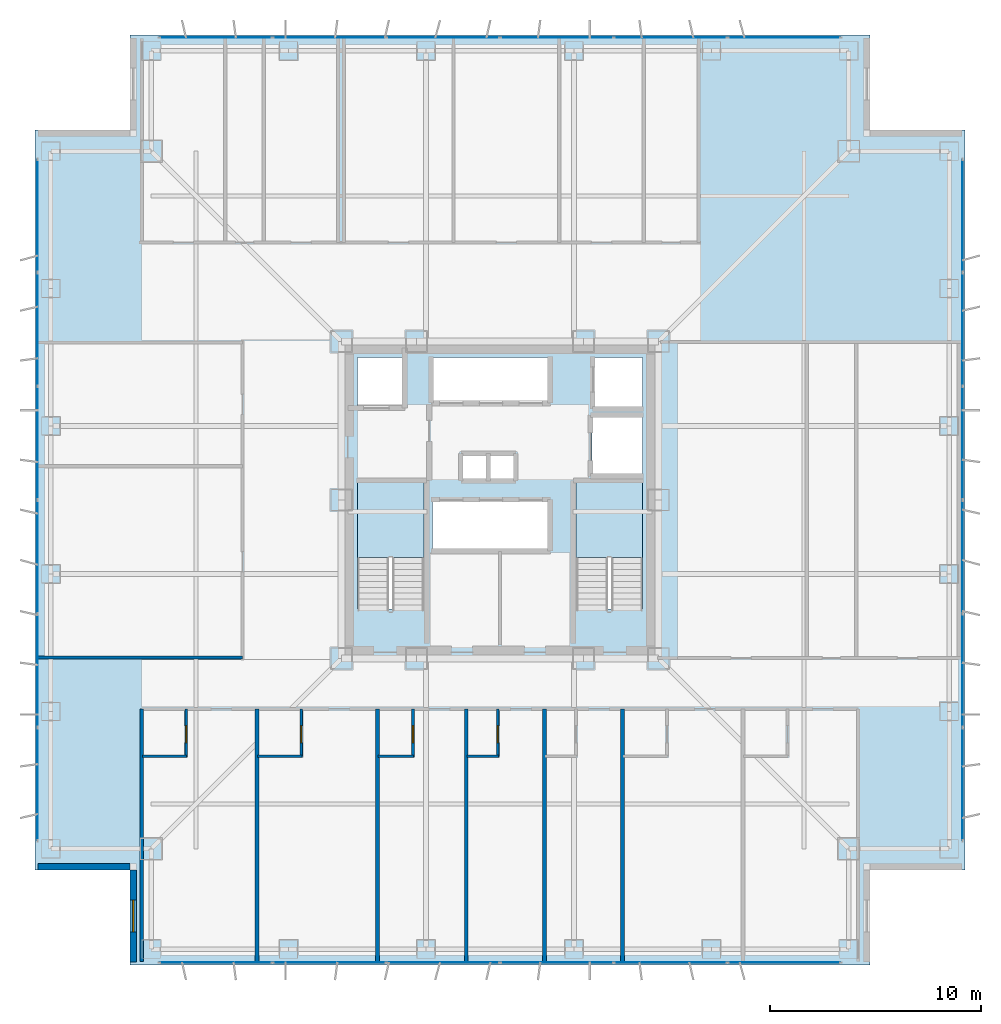
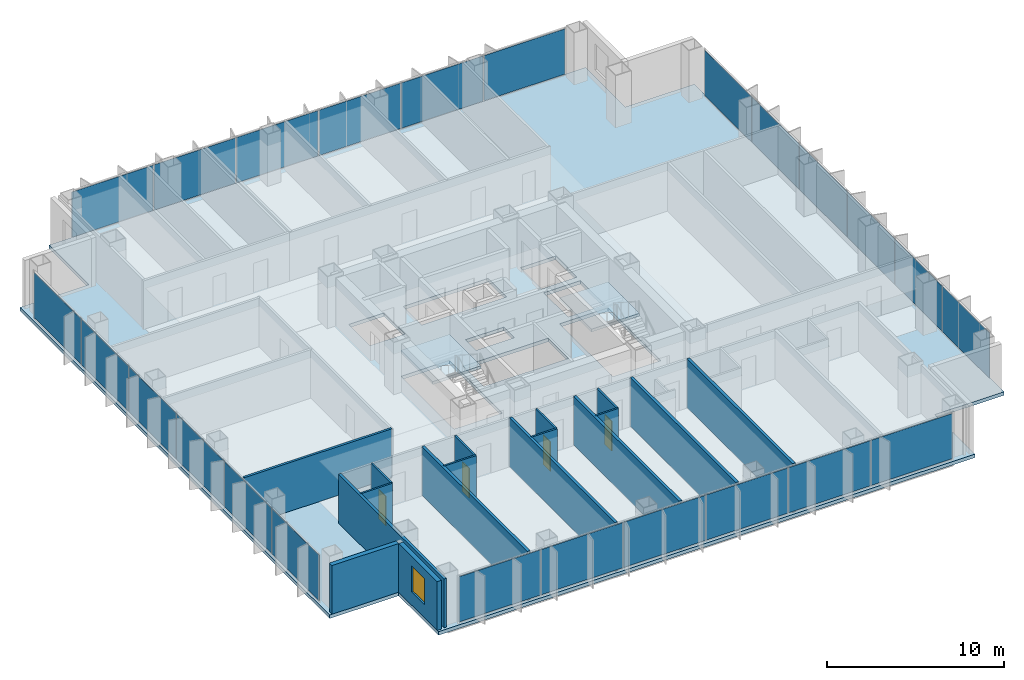
# One storey, part 12 of 18: 24 plates, 17 walls, 4 doors, 3 slabs, 1 window, 5 openings, 6 elements without a shape of their own.
"""IFC4 building model written with IfcOpenShell, lengths in metres."""

from ifc_helpers import new_model, si_unit, direction, frame, frame_2d, origin, origin_2d, place, context, subcontext, project, spatial, polyline, rectangle, outline, extrude, material, layer, layer_set, type_object, element, fill, aggregate, save


model = new_model("IFC4")

# Units and contexts
model_context = context("Model", 3, precision=1e-05, world=origin(), true_north=direction((0.0, 1.0)))
body_context = subcontext(model_context, "Body", "Model", "MODEL_VIEW")
ifc_project = project(units=[si_unit("LENGTHUNIT", "METRE"), si_unit("AREAUNIT", "SQUARE_METRE"), si_unit("VOLUMEUNIT", "CUBIC_METRE"), si_unit("PLANEANGLEUNIT", "RADIAN"), si_unit("MASSUNIT", "GRAM", prefix="KILO")], contexts=[model_context])

# Site, building, storey
site_placement = place(None, origin())
site = spatial("IfcSite", under=ifc_project, at=site_placement, CompositionType="ELEMENT")
building_placement = place(site_placement, origin())
building = spatial("IfcBuilding", under=site, at=building_placement, Name="Trevonay Congress Spire", CompositionType="ELEMENT")
storey_placement = place(building_placement, frame((0.0, 0.0, 148.0)))
storey = spatial("IfcBuildingStorey", under=building, at=storey_placement, Name="L38", CompositionType="ELEMENT", Elevation=148.0)

# Curtain wall, plates
ifc_material_1 = material(Name="Pale Anodised Aluminium EN AW-6063-T6", Category="aluminium")
ifc_layer_1 = layer(ifc_material_1, 0.175048828125, Name="Pale Anodised Aluminium EN AW-6063-T6")
ifc_layer_set_1 = layer_set([ifc_layer_1], Name="Pale Anodised Aluminium EN AW-6063-T6")
curtain_wall_type = type_object("IfcCurtainWallType", Name="CW-SYS03-CONGRESS-PALE-METAL", PredefinedType="NOTDEFINED", material=ifc_layer_set_1)
curtain_wall_1_placement = place(storey_placement, origin())
curtain_wall_1 = element("IfcCurtainWall", 1, at=curtain_wall_1_placement, inside=storey, type_object=curtain_wall_type, Name="L38 S unitised curtain wall", PredefinedType="NOTDEFINED")
ifc_material_2 = material(Name="Insulated Low-E Vision Glass IGU", Category="glass")
ifc_layer_2 = layer(ifc_material_2, 0.035888671875, Name="Insulated Low-E Vision Glass IGU")
ifc_layer_set_2 = layer_set([ifc_layer_2], Name="Insulated Low-E Vision Glass IGU")
plate_type = type_object("IfcPlateType", Name="CW-PANEL-IGU36-SILVER", PredefinedType="CURTAIN_PANEL", material=ifc_layer_set_2)
plate_1_placement = place(storey_placement, frame((-13.443359375, -21.8798828125, 0.119873046875), z_axis=(0.0, 0.0, 1.0), x_axis=(1.0, 0.0, 0.0)))
plate_1 = element("IfcPlate", 2, at=plate_1_placement, type_object=plate_type, Name="CW03 panel 1.1", PredefinedType="CURTAIN_PANEL", context=body_context, shape_type="SweptSolid", body=[
    extrude(rectangle(XDim=5.293212890625, YDim=0.035888671875, at=origin_2d()), origin(), (0.0, 0.0, 1.0), 3.1201171875),
])
plate_2_placement = place(storey_placement, frame((-8.074951171875, -21.8798828125, 0.119873046875), z_axis=(0.0, 0.0, 1.0), x_axis=(1.0, 0.0, 0.0)))
plate_2 = element("IfcPlate", 3, at=plate_2_placement, type_object=plate_type, Name="CW03 panel 2.1", PredefinedType="CURTAIN_PANEL", context=body_context, shape_type="SweptSolid", body=[
    extrude(rectangle(XDim=5.3232421875, YDim=0.035888671875, at=origin_2d()), origin(), (0.0, 0.0, 1.0), 3.1201171875),
])
plate_3_placement = place(storey_placement, frame((-2.691650390625, -21.8798828125, 0.119873046875), z_axis=(0.0, 0.0, 1.0), x_axis=(1.0, 0.0, 0.0)))
plate_3 = element("IfcPlate", 4, at=plate_3_placement, type_object=plate_type, Name="CW03 panel 3.1", PredefinedType="CURTAIN_PANEL", context=body_context, shape_type="SweptSolid", body=[
    extrude(rectangle(XDim=5.3232421875, YDim=0.035888671875, at=origin_2d()), origin(), (0.0, 0.0, 1.0), 3.1201171875),
])
plate_4_placement = place(storey_placement, frame((2.691650390625, -21.8798828125, 0.119873046875), z_axis=(0.0, 0.0, 1.0), x_axis=(1.0, 0.0, 0.0)))
plate_4 = element("IfcPlate", 5, at=plate_4_placement, type_object=plate_type, Name="CW03 panel 4.1", PredefinedType="CURTAIN_PANEL", context=body_context, shape_type="SweptSolid", body=[
    extrude(rectangle(XDim=5.3232421875, YDim=0.035888671875, at=origin_2d()), origin(), (0.0, 0.0, 1.0), 3.1201171875),
])
plate_5_placement = place(storey_placement, frame((8.074951171875, -21.8798828125, 0.119873046875), z_axis=(0.0, 0.0, 1.0), x_axis=(1.0, 0.0, 0.0)))
plate_5 = element("IfcPlate", 6, at=plate_5_placement, type_object=plate_type, Name="CW03 panel 5.1", PredefinedType="CURTAIN_PANEL", context=body_context, shape_type="SweptSolid", body=[
    extrude(rectangle(XDim=5.3232421875, YDim=0.035888671875, at=origin_2d()), origin(), (0.0, 0.0, 1.0), 3.1201171875),
])
plate_6_placement = place(storey_placement, frame((13.443359375, -21.8798828125, 0.119873046875), z_axis=(0.0, 0.0, 1.0), x_axis=(1.0, 0.0, 0.0)))
plate_6 = element("IfcPlate", 7, at=plate_6_placement, type_object=plate_type, Name="CW03 panel 6.1", PredefinedType="CURTAIN_PANEL", context=body_context, shape_type="SweptSolid", body=[
    extrude(rectangle(XDim=5.293212890625, YDim=0.035888671875, at=origin_2d()), origin(), (0.0, 0.0, 1.0), 3.1201171875),
])
aggregate(curtain_wall_1, [plate_1, plate_2, plate_3, plate_4, plate_5, plate_6])

curtain_wall_2_placement = place(storey_placement, origin())
curtain_wall_2 = element("IfcCurtainWall", 8, at=curtain_wall_2_placement, inside=storey, type_object=curtain_wall_type, Name="L38 N unitised curtain wall", PredefinedType="NOTDEFINED")
plate_7_placement = place(storey_placement, frame((-13.443359375, 21.8798828125, 0.119873046875), z_axis=(0.0, 0.0, 1.0), x_axis=(1.0, 0.0, 0.0)))
plate_7 = element("IfcPlate", 9, at=plate_7_placement, type_object=plate_type, Name="CW03 panel 1.1", PredefinedType="CURTAIN_PANEL", context=body_context, shape_type="SweptSolid", body=[
    extrude(rectangle(XDim=5.293212890625, YDim=0.035888671875, at=origin_2d()), origin(), (0.0, 0.0, 1.0), 3.1201171875),
])
plate_8_placement = place(storey_placement, frame((-8.074951171875, 21.8798828125, 0.119873046875), z_axis=(0.0, 0.0, 1.0), x_axis=(1.0, 0.0, 0.0)))
plate_8 = element("IfcPlate", 10, at=plate_8_placement, type_object=plate_type, Name="CW03 panel 2.1", PredefinedType="CURTAIN_PANEL", context=body_context, shape_type="SweptSolid", body=[
    extrude(rectangle(XDim=5.3232421875, YDim=0.035888671875, at=origin_2d()), origin(), (0.0, 0.0, 1.0), 3.1201171875),
])
plate_9_placement = place(storey_placement, frame((-2.691650390625, 21.8798828125, 0.119873046875), z_axis=(0.0, 0.0, 1.0), x_axis=(1.0, 0.0, 0.0)))
plate_9 = element("IfcPlate", 11, at=plate_9_placement, type_object=plate_type, Name="CW03 panel 3.1", PredefinedType="CURTAIN_PANEL", context=body_context, shape_type="SweptSolid", body=[
    extrude(rectangle(XDim=5.3232421875, YDim=0.035888671875, at=origin_2d()), origin(), (0.0, 0.0, 1.0), 3.1201171875),
])
plate_10_placement = place(storey_placement, frame((2.691650390625, 21.8798828125, 0.119873046875), z_axis=(0.0, 0.0, 1.0), x_axis=(1.0, 0.0, 0.0)))
plate_10 = element("IfcPlate", 12, at=plate_10_placement, type_object=plate_type, Name="CW03 panel 4.1", PredefinedType="CURTAIN_PANEL", context=body_context, shape_type="SweptSolid", body=[
    extrude(rectangle(XDim=5.3232421875, YDim=0.035888671875, at=origin_2d()), origin(), (0.0, 0.0, 1.0), 3.1201171875),
])
plate_11_placement = place(storey_placement, frame((8.074951171875, 21.8798828125, 0.119873046875), z_axis=(0.0, 0.0, 1.0), x_axis=(1.0, 0.0, 0.0)))
plate_11 = element("IfcPlate", 13, at=plate_11_placement, type_object=plate_type, Name="CW03 panel 5.1", PredefinedType="CURTAIN_PANEL", context=body_context, shape_type="SweptSolid", body=[
    extrude(rectangle(XDim=5.3232421875, YDim=0.035888671875, at=origin_2d()), origin(), (0.0, 0.0, 1.0), 3.1201171875),
])
plate_12_placement = place(storey_placement, frame((13.443359375, 21.8798828125, 0.119873046875), z_axis=(0.0, 0.0, 1.0), x_axis=(1.0, 0.0, 0.0)))
plate_12 = element("IfcPlate", 14, at=plate_12_placement, type_object=plate_type, Name="CW03 panel 6.1", PredefinedType="CURTAIN_PANEL", context=body_context, shape_type="SweptSolid", body=[
    extrude(rectangle(XDim=5.293212890625, YDim=0.035888671875, at=origin_2d()), origin(), (0.0, 0.0, 1.0), 3.1201171875),
])
aggregate(curtain_wall_2, [plate_7, plate_8, plate_9, plate_10, plate_11, plate_12])

curtain_wall_3_placement = place(storey_placement, origin())
curtain_wall_3 = element("IfcCurtainWall", 15, at=curtain_wall_3_placement, inside=storey, type_object=curtain_wall_type, Name="L38 W unitised curtain wall", PredefinedType="NOTDEFINED")
plate_13_placement = place(storey_placement, frame((-21.8798828125, -13.443359375, 0.119873046875), z_axis=(0.0, 0.0, 1.0), x_axis=(0.0, 1.0, 0.0)))
plate_13 = element("IfcPlate", 16, at=plate_13_placement, type_object=plate_type, Name="CW03 panel 1.1", PredefinedType="CURTAIN_PANEL", context=body_context, shape_type="SweptSolid", body=[
    extrude(rectangle(XDim=5.293212890625, YDim=0.035888671875, at=origin_2d()), origin(), (0.0, 0.0, 1.0), 3.1201171875),
])
plate_14_placement = place(storey_placement, frame((-21.8798828125, -8.074951171875, 0.119873046875), z_axis=(0.0, 0.0, 1.0), x_axis=(0.0, 1.0, 0.0)))
plate_14 = element("IfcPlate", 17, at=plate_14_placement, type_object=plate_type, Name="CW03 panel 2.1", PredefinedType="CURTAIN_PANEL", context=body_context, shape_type="SweptSolid", body=[
    extrude(rectangle(XDim=5.3232421875, YDim=0.035888671875, at=origin_2d()), origin(), (0.0, 0.0, 1.0), 3.1201171875),
])
plate_15_placement = place(storey_placement, frame((-21.8798828125, -2.691650390625, 0.119873046875), z_axis=(0.0, 0.0, 1.0), x_axis=(0.0, 1.0, 0.0)))
plate_15 = element("IfcPlate", 18, at=plate_15_placement, type_object=plate_type, Name="CW03 panel 3.1", PredefinedType="CURTAIN_PANEL", context=body_context, shape_type="SweptSolid", body=[
    extrude(rectangle(XDim=5.3232421875, YDim=0.035888671875, at=origin_2d()), origin(), (0.0, 0.0, 1.0), 3.1201171875),
])
plate_16_placement = place(storey_placement, frame((-21.8798828125, 2.691650390625, 0.119873046875), z_axis=(0.0, 0.0, 1.0), x_axis=(0.0, 1.0, 0.0)))
plate_16 = element("IfcPlate", 19, at=plate_16_placement, type_object=plate_type, Name="CW03 panel 4.1", PredefinedType="CURTAIN_PANEL", context=body_context, shape_type="SweptSolid", body=[
    extrude(rectangle(XDim=5.3232421875, YDim=0.035888671875, at=origin_2d()), origin(), (0.0, 0.0, 1.0), 3.1201171875),
])
plate_17_placement = place(storey_placement, frame((-21.8798828125, 8.074951171875, 0.119873046875), z_axis=(0.0, 0.0, 1.0), x_axis=(0.0, 1.0, 0.0)))
plate_17 = element("IfcPlate", 20, at=plate_17_placement, type_object=plate_type, Name="CW03 panel 5.1", PredefinedType="CURTAIN_PANEL", context=body_context, shape_type="SweptSolid", body=[
    extrude(rectangle(XDim=5.3232421875, YDim=0.035888671875, at=origin_2d()), origin(), (0.0, 0.0, 1.0), 3.1201171875),
])
plate_18_placement = place(storey_placement, frame((-21.8798828125, 13.443359375, 0.119873046875), z_axis=(0.0, 0.0, 1.0), x_axis=(0.0, 1.0, 0.0)))
plate_18 = element("IfcPlate", 21, at=plate_18_placement, type_object=plate_type, Name="CW03 panel 6.1", PredefinedType="CURTAIN_PANEL", context=body_context, shape_type="SweptSolid", body=[
    extrude(rectangle(XDim=5.293212890625, YDim=0.035888671875, at=origin_2d()), origin(), (0.0, 0.0, 1.0), 3.1201171875),
])
aggregate(curtain_wall_3, [plate_13, plate_14, plate_15, plate_16, plate_17, plate_18])

curtain_wall_4_placement = place(storey_placement, origin())
curtain_wall_4 = element("IfcCurtainWall", 22, at=curtain_wall_4_placement, inside=storey, type_object=curtain_wall_type, Name="L38 E unitised curtain wall", PredefinedType="NOTDEFINED")
plate_19_placement = place(storey_placement, frame((21.8798828125, -13.443359375, 0.119873046875), z_axis=(0.0, 0.0, 1.0), x_axis=(0.0, 1.0, 0.0)))
plate_19 = element("IfcPlate", 23, at=plate_19_placement, type_object=plate_type, Name="CW03 panel 1.1", PredefinedType="CURTAIN_PANEL", context=body_context, shape_type="SweptSolid", body=[
    extrude(rectangle(XDim=5.293212890625, YDim=0.035888671875, at=origin_2d()), origin(), (0.0, 0.0, 1.0), 3.1201171875),
])
plate_20_placement = place(storey_placement, frame((21.8798828125, -8.074951171875, 0.119873046875), z_axis=(0.0, 0.0, 1.0), x_axis=(0.0, 1.0, 0.0)))
plate_20 = element("IfcPlate", 24, at=plate_20_placement, type_object=plate_type, Name="CW03 panel 2.1", PredefinedType="CURTAIN_PANEL", context=body_context, shape_type="SweptSolid", body=[
    extrude(rectangle(XDim=5.3232421875, YDim=0.035888671875, at=origin_2d()), origin(), (0.0, 0.0, 1.0), 3.1201171875),
])
plate_21_placement = place(storey_placement, frame((21.8798828125, -2.691650390625, 0.119873046875), z_axis=(0.0, 0.0, 1.0), x_axis=(0.0, 1.0, 0.0)))
plate_21 = element("IfcPlate", 25, at=plate_21_placement, type_object=plate_type, Name="CW03 panel 3.1", PredefinedType="CURTAIN_PANEL", context=body_context, shape_type="SweptSolid", body=[
    extrude(rectangle(XDim=5.3232421875, YDim=0.035888671875, at=origin_2d()), origin(), (0.0, 0.0, 1.0), 3.1201171875),
])
plate_22_placement = place(storey_placement, frame((21.8798828125, 2.691650390625, 0.119873046875), z_axis=(0.0, 0.0, 1.0), x_axis=(0.0, 1.0, 0.0)))
plate_22 = element("IfcPlate", 26, at=plate_22_placement, type_object=plate_type, Name="CW03 panel 4.1", PredefinedType="CURTAIN_PANEL", context=body_context, shape_type="SweptSolid", body=[
    extrude(rectangle(XDim=5.3232421875, YDim=0.035888671875, at=origin_2d()), origin(), (0.0, 0.0, 1.0), 3.1201171875),
])
plate_23_placement = place(storey_placement, frame((21.8798828125, 8.074951171875, 0.119873046875), z_axis=(0.0, 0.0, 1.0), x_axis=(0.0, 1.0, 0.0)))
plate_23 = element("IfcPlate", 27, at=plate_23_placement, type_object=plate_type, Name="CW03 panel 5.1", PredefinedType="CURTAIN_PANEL", context=body_context, shape_type="SweptSolid", body=[
    extrude(rectangle(XDim=5.3232421875, YDim=0.035888671875, at=origin_2d()), origin(), (0.0, 0.0, 1.0), 3.1201171875),
])
plate_24_placement = place(storey_placement, frame((21.8798828125, 13.443359375, 0.119873046875), z_axis=(0.0, 0.0, 1.0), x_axis=(0.0, 1.0, 0.0)))
plate_24 = element("IfcPlate", 28, at=plate_24_placement, type_object=plate_type, Name="CW03 panel 6.1", PredefinedType="CURTAIN_PANEL", context=body_context, shape_type="SweptSolid", body=[
    extrude(rectangle(XDim=5.293212890625, YDim=0.035888671875, at=origin_2d()), origin(), (0.0, 0.0, 1.0), 3.1201171875),
])
aggregate(curtain_wall_4, [plate_19, plate_20, plate_21, plate_22, plate_23, plate_24])

# Stair, slab
ifc_material_3 = material(Name="Concrete C40/50", Category="concrete")
stair_type_1 = type_object("IfcStairType", Name="STR-ST-1", PredefinedType="HALF_TURN_STAIR", material=ifc_material_3)
stair_1_placement = place(storey_placement, origin())
stair_1 = element("IfcStair", 29, at=stair_1_placement, inside=storey, type_object=stair_type_1, Name="L38 Protected Exit Stair ST-1", PredefinedType="HALF_TURN_STAIR")
ifc_layer_3 = layer(ifc_material_3, 0.199951171875, Name="Concrete C40/50")
ifc_layer_set_3 = layer_set([ifc_layer_3], Name="Concrete C40/50")
slab_type_1 = type_object("IfcSlabType", Name="SLB-STAIR-LAND-200", PredefinedType="LANDING", material=ifc_layer_set_3)
slab_1_placement = place(storey_placement, frame((0.0, 0.0, 1.60009765625)))
slab_1 = element("IfcSlab", 30, at=slab_1_placement, type_object=slab_type_1, Name="ST-1 landing 1", PredefinedType="LANDING", context=body_context, shape_type="SweptSolid", body=[
    extrude(outline(polyline([(-3.60009765625, -2.72998046875), (-3.60009765625, 0.85009765625), (-6.75, 0.85009765625), (-6.75, -2.72998046875), (-3.60009765625, -2.72998046875)])), origin(), (0.0, 0.0, 1.0), 0.199951171875),
])
aggregate(stair_1, [slab_1])

stair_type_2 = type_object("IfcStairType", Name="STR-ST-2", PredefinedType="HALF_TURN_STAIR", material=ifc_material_3)
stair_2_placement = place(storey_placement, origin())
stair_2 = element("IfcStair", 31, at=stair_2_placement, inside=storey, type_object=stair_type_2, Name="L38 Protected Exit Stair ST-2", PredefinedType="HALF_TURN_STAIR")
slab_2_placement = place(storey_placement, frame((0.0, 0.0, 1.60009765625)))
slab_2 = element("IfcSlab", 32, at=slab_2_placement, type_object=slab_type_1, Name="ST-2 landing 1", PredefinedType="LANDING", context=body_context, shape_type="SweptSolid", body=[
    extrude(outline(polyline([(6.75, -2.72998046875), (6.75, 0.85009765625), (3.60009765625, 0.85009765625), (3.60009765625, -2.72998046875), (6.75, -2.72998046875)])), origin(), (0.0, 0.0, 1.0), 0.199951171875),
])
aggregate(stair_2, [slab_2])

# Slab
ifc_layer_4 = layer(ifc_material_3, 0.239990234375, Name="Concrete C40/50")
ifc_layer_set_4 = layer_set([ifc_layer_4], Name="Concrete C40/50")
slab_type_2 = type_object("IfcSlabType", Name="SLB-TOW2-240", PredefinedType="FLOOR", material=ifc_layer_set_4)
slab_3_placement = place(storey_placement, frame((0.0, 0.0, -0.239990234375)))
element("IfcSlab", 33, at=slab_3_placement, inside=storey, type_object=slab_type_2, Name="L38 structural floor slab", PredefinedType="FLOOR", context=body_context, shape_type="SweptSolid", body=[
    extrude(outline(polyline([(-17.5, -22.0), (17.5, -22.0), (17.5, -17.5), (22.0, -17.5), (22.0, 17.5), (17.5, 17.5), (17.5, 22.0), (-17.5, 22.0), (-17.5, 17.5), (-22.0, 17.5), (-22.0, -17.5), (-17.5, -17.5), (-17.5, -22.0)]), holes=[polyline([(-3.60009765625, -5.14990234375), (-3.60009765625, 0.85009765625), (-6.75, 0.85009765625), (-6.75, -5.14990234375), (-3.60009765625, -5.14990234375)]), polyline([(6.75, -5.14990234375), (6.75, 0.85009765625), (3.60009765625, 0.85009765625), (3.60009765625, -5.14990234375), (6.75, -5.14990234375)]), polyline([(-3.199951171875, -2.35009765625), (2.340087890625, -2.35009765625), (2.340087890625, -0.050048828125), (-3.199951171875, -0.050048828125), (-3.199951171875, -2.35009765625)]), polyline([(-3.199951171875, 4.64990234375), (2.340087890625, 4.64990234375), (2.340087890625, 6.75), (-3.199951171875, 6.75), (-3.199951171875, 4.64990234375)]), polyline([(-6.75, 4.35009765625), (-4.449951171875, 4.35009765625), (-4.449951171875, 6.75), (-6.75, 6.75), (-6.75, 4.35009765625)]), polyline([(4.449951171875, 4.35009765625), (6.75, 4.35009765625), (6.75, 6.75), (4.449951171875, 6.75), (4.449951171875, 4.35009765625)]), polyline([(4.35009765625, 1.199951171875), (6.75, 1.199951171875), (6.75, 3.949951171875), (4.35009765625, 3.949951171875), (4.35009765625, 1.199951171875)]), polyline([(-1.800048828125, 0.949951171875), (0.699951171875, 0.949951171875), (0.699951171875, 2.14990234375), (-1.800048828125, 2.14990234375), (-1.800048828125, 0.949951171875)])]), origin(), (0.0, 0.0, 1.0), 0.239990234375),
])

# Wall, opening, door
ifc_layer_5 = layer(ifc_material_3, 0.1201171875, Name="Concrete C40/50")
ifc_layer_set_5 = layer_set([ifc_layer_5], Name="Concrete C40/50")
wall_type_1 = type_object("IfcWallType", Name="WAL-BATH-120", PredefinedType="PLUMBINGWALL", material=ifc_layer_set_5)
wall_1_placement = place(storey_placement, frame((-14.85009765625, -12.1298828125, 0.0), z_axis=(0.0, 0.0, 1.0), x_axis=(0.0, 1.0, 0.0)))
wall_1 = element("IfcWall", 34, at=wall_1_placement, inside=storey, type_object=wall_type_1, Name="L38 interior wall WH-L38S-BS1", PredefinedType="PLUMBINGWALL", context=body_context, shape_type="SweptSolid", body=[
    extrude(rectangle(XDim=2.25, YDim=0.1201171875, at=frame_2d((1.125, 0.0))), origin(), (0.0, 0.0, 1.0), 3.360107421875),
])
opening_1_placement = place(wall_1_placement, frame((0.64990234375, 0.0, 0.0)))
opening_1 = element("IfcOpeningElement", 35, at=opening_1_placement, cuts=wall_1, Name="Opening D11", PredefinedType="OPENING", context=body_context, shape_type="SweptSolid", body=[
    extrude(rectangle(XDim=0.800048828125, YDim=2.050048828125, at=frame_2d((0.39990234375, 1.02490234375))), frame((0.0, 0.070068359375, 0.0), z_axis=(0.0, -1.0, 0.0), x_axis=(1.0, 0.0, 0.0)), (0.0, 0.0, 1.0), 0.14013671875),
])
door_type = type_object("IfcDoorType", Name="DOR-BATH-80", OperationType="NOTDEFINED", PredefinedType="DOOR", material=ifc_material_1)
door_1_placement = place(opening_1_placement, origin())
door_1 = element("IfcDoor", 36, at=door_1_placement, inside=storey, type_object=door_type, Name="L38 En-suite Bathroom Door", OperationType="SINGLE_SWING_LEFT", OverallHeight=2.050048828125, OverallWidth=0.800048828125, PredefinedType="DOOR", context=body_context, shape_type="SweptSolid", body=[
    extrude(rectangle(XDim=0.800048828125, YDim=2.050048828125, at=frame_2d((0.39990234375, 1.02490234375))), frame((0.0, 0.02490234375, 0.0), z_axis=(0.0, -1.0, 0.0), x_axis=(1.0, 0.0, 0.0)), (0.0, 0.0, 1.0), 0.050048828125),
])
fill(opening_1, door_1)

# Wall
wall_2_placement = place(storey_placement, frame((-16.919921875, -12.1298828125, 0.0), z_axis=(0.0, 0.0, 1.0), x_axis=(1.0, 0.0, 0.0)))
element("IfcWall", 37, at=wall_2_placement, inside=storey, type_object=wall_type_1, Name="L38 interior wall WH-L38S-BF1", PredefinedType="PLUMBINGWALL", context=body_context, shape_type="SweptSolid", body=[
    extrude(rectangle(XDim=2.099853515625, YDim=0.1201171875, at=frame_2d((1.0498046875, 0.0))), origin(), (0.0, 0.0, 1.0), 3.360107421875),
])

# Wall, opening, door
wall_3_placement = place(storey_placement, frame((-9.39990234375, -12.1298828125, 0.0), z_axis=(0.0, 0.0, 1.0), x_axis=(0.0, 1.0, 0.0)))
wall_3 = element("IfcWall", 38, at=wall_3_placement, inside=storey, type_object=wall_type_1, Name="L38 interior wall WH-L38S-BS2", PredefinedType="PLUMBINGWALL", context=body_context, shape_type="SweptSolid", body=[
    extrude(rectangle(XDim=2.25, YDim=0.1201171875, at=frame_2d((1.125, 0.0))), origin(), (0.0, 0.0, 1.0), 3.360107421875),
])
opening_2_placement = place(wall_3_placement, frame((0.64990234375, 0.0, 0.0)))
opening_2 = element("IfcOpeningElement", 39, at=opening_2_placement, cuts=wall_3, Name="Opening D11", PredefinedType="OPENING", context=body_context, shape_type="SweptSolid", body=[
    extrude(rectangle(XDim=0.800048828125, YDim=2.050048828125, at=frame_2d((0.39990234375, 1.02490234375))), frame((0.0, 0.070068359375, 0.0), z_axis=(0.0, -1.0, 0.0), x_axis=(1.0, 0.0, 0.0)), (0.0, 0.0, 1.0), 0.14013671875),
])
door_2_placement = place(opening_2_placement, origin())
door_2 = element("IfcDoor", 40, at=door_2_placement, inside=storey, type_object=door_type, Name="L38 En-suite Bathroom Door", OperationType="SINGLE_SWING_RIGHT", OverallHeight=2.050048828125, OverallWidth=0.800048828125, PredefinedType="DOOR", context=body_context, shape_type="SweptSolid", body=[
    extrude(rectangle(XDim=0.800048828125, YDim=2.050048828125, at=frame_2d((0.39990234375, 1.02490234375))), frame((0.0, 0.02490234375, 0.0), z_axis=(0.0, -1.0, 0.0), x_axis=(1.0, 0.0, 0.0)), (0.0, 0.0, 1.0), 0.050048828125),
])
fill(opening_2, door_2)

# Wall
wall_4_placement = place(storey_placement, frame((-11.469970703125, -12.1298828125, 0.0), z_axis=(0.0, 0.0, 1.0), x_axis=(1.0, 0.0, 0.0)))
element("IfcWall", 41, at=wall_4_placement, inside=storey, type_object=wall_type_1, Name="L38 interior wall WH-L38S-BF2", PredefinedType="PLUMBINGWALL", context=body_context, shape_type="SweptSolid", body=[
    extrude(rectangle(XDim=2.099853515625, YDim=0.1201171875, at=frame_2d((1.0498046875, 0.0))), origin(), (0.0, 0.0, 1.0), 3.360107421875),
])

# Wall, opening, door
wall_5_placement = place(storey_placement, frame((-4.114990234375, -12.1298828125, 0.0), z_axis=(0.0, 0.0, 1.0), x_axis=(0.0, 1.0, 0.0)))
wall_5 = element("IfcWall", 42, at=wall_5_placement, inside=storey, type_object=wall_type_1, Name="L38 interior wall WH-L38S-BS3", PredefinedType="PLUMBINGWALL", context=body_context, shape_type="SweptSolid", body=[
    extrude(rectangle(XDim=2.25, YDim=0.1201171875, at=frame_2d((1.125, 0.0))), origin(), (0.0, 0.0, 1.0), 3.360107421875),
])
opening_3_placement = place(wall_5_placement, frame((0.64990234375, 0.0, 0.0)))
opening_3 = element("IfcOpeningElement", 43, at=opening_3_placement, cuts=wall_5, Name="Opening D11", PredefinedType="OPENING", context=body_context, shape_type="SweptSolid", body=[
    extrude(rectangle(XDim=0.800048828125, YDim=2.050048828125, at=frame_2d((0.39990234375, 1.02490234375))), frame((0.0, 0.070068359375, 0.0), z_axis=(0.0, -1.0, 0.0), x_axis=(1.0, 0.0, 0.0)), (0.0, 0.0, 1.0), 0.14013671875),
])
door_3_placement = place(opening_3_placement, origin())
door_3 = element("IfcDoor", 44, at=door_3_placement, inside=storey, type_object=door_type, Name="L38 En-suite Bathroom Door", OperationType="SINGLE_SWING_LEFT", OverallHeight=2.050048828125, OverallWidth=0.800048828125, PredefinedType="DOOR", context=body_context, shape_type="SweptSolid", body=[
    extrude(rectangle(XDim=0.800048828125, YDim=2.050048828125, at=frame_2d((0.39990234375, 1.02490234375))), frame((0.0, 0.02490234375, 0.0), z_axis=(0.0, -1.0, 0.0), x_axis=(1.0, 0.0, 0.0)), (0.0, 0.0, 1.0), 0.050048828125),
])
fill(opening_3, door_3)

# Wall
wall_6_placement = place(storey_placement, frame((-5.77001953125, -12.1298828125, 0.0), z_axis=(0.0, 0.0, 1.0), x_axis=(1.0, 0.0, 0.0)))
element("IfcWall", 45, at=wall_6_placement, inside=storey, type_object=wall_type_1, Name="L38 interior wall WH-L38S-BF3", PredefinedType="PLUMBINGWALL", context=body_context, shape_type="SweptSolid", body=[
    extrude(rectangle(XDim=1.68505859375, YDim=0.1201171875, at=frame_2d((0.842529296875, 0.0))), origin(), (0.0, 0.0, 1.0), 3.360107421875),
])

# Wall, opening, door
wall_7_placement = place(storey_placement, frame((-0.10498046875, -12.1298828125, 0.0), z_axis=(0.0, 0.0, 1.0), x_axis=(0.0, 1.0, 0.0)))
wall_7 = element("IfcWall", 46, at=wall_7_placement, inside=storey, type_object=wall_type_1, Name="L38 interior wall WH-L38S-BS4", PredefinedType="PLUMBINGWALL", context=body_context, shape_type="SweptSolid", body=[
    extrude(rectangle(XDim=2.25, YDim=0.1201171875, at=frame_2d((1.125, 0.0))), origin(), (0.0, 0.0, 1.0), 3.360107421875),
])
opening_4_placement = place(wall_7_placement, frame((0.64990234375, 0.0, 0.0)))
opening_4 = element("IfcOpeningElement", 47, at=opening_4_placement, cuts=wall_7, Name="Opening D11", PredefinedType="OPENING", context=body_context, shape_type="SweptSolid", body=[
    extrude(rectangle(XDim=0.800048828125, YDim=2.050048828125, at=frame_2d((0.39990234375, 1.02490234375))), frame((0.0, 0.070068359375, 0.0), z_axis=(0.0, -1.0, 0.0), x_axis=(1.0, 0.0, 0.0)), (0.0, 0.0, 1.0), 0.14013671875),
])
door_4_placement = place(opening_4_placement, origin())
door_4 = element("IfcDoor", 48, at=door_4_placement, inside=storey, type_object=door_type, Name="L38 En-suite Bathroom Door", OperationType="SINGLE_SWING_RIGHT", OverallHeight=2.050048828125, OverallWidth=0.800048828125, PredefinedType="DOOR", context=body_context, shape_type="SweptSolid", body=[
    extrude(rectangle(XDim=0.800048828125, YDim=2.050048828125, at=frame_2d((0.39990234375, 1.02490234375))), frame((0.0, 0.02490234375, 0.0), z_axis=(0.0, -1.0, 0.0), x_axis=(1.0, 0.0, 0.0)), (0.0, 0.0, 1.0), 0.050048828125),
])
fill(opening_4, door_4)

# Wall
wall_8_placement = place(storey_placement, frame((-1.570068359375, -12.1298828125, 0.0), z_axis=(0.0, 0.0, 1.0), x_axis=(1.0, 0.0, 0.0)))
element("IfcWall", 49, at=wall_8_placement, inside=storey, type_object=wall_type_1, Name="L38 interior wall WH-L38S-BF4", PredefinedType="PLUMBINGWALL", context=body_context, shape_type="SweptSolid", body=[
    extrude(rectangle(XDim=1.4951171875, YDim=0.1201171875, at=frame_2d((0.74755859375, 0.0))), origin(), (0.0, 0.0, 1.0), 3.360107421875),
])

# Wall, opening, window
ifc_material_4 = material(Name="Precast concrete C40/50", Category="concrete")
ifc_layer_6 = layer(ifc_material_4, 0.300048828125, Name="Precast concrete C40/50")
ifc_layer_set_6 = layer_set([ifc_layer_6], Name="Precast concrete C40/50")
wall_type_2 = type_object("IfcWallType", Name="WAL-EXT-PRECAST-300", PredefinedType="SOLIDWALL", material=ifc_layer_set_6)
wall_9_placement = place(storey_placement, frame((-17.35009765625, -21.85009765625, 0.0), z_axis=(0.0, 0.0, 1.0), x_axis=(0.0, 1.0, 0.0)))
wall_9 = element("IfcWall", 50, at=wall_9_placement, inside=storey, type_object=wall_type_2, Name="L38 SW re-entrant notch exterior wall 1", PredefinedType="SOLIDWALL", context=body_context, shape_type="SweptSolid", body=[
    extrude(rectangle(XDim=4.35009765625, YDim=0.300048828125, at=frame_2d((2.175048828125, 0.0))), origin(), (0.0, 0.0, 1.0), 3.360107421875),
])
opening_5_placement = place(wall_9_placement, frame((1.425048828125, 0.0, 0.89990234375)))
opening_5 = element("IfcOpeningElement", 51, at=opening_5_placement, cuts=wall_9, Name="Opening WN03", PredefinedType="OPENING", context=body_context, shape_type="SweptSolid", body=[
    extrude(rectangle(XDim=1.5, YDim=1.800048828125, at=frame_2d((0.75, 0.89990234375))), frame((0.0, 0.16015625, 0.0), z_axis=(0.0, -1.0, 0.0), x_axis=(1.0, 0.0, 0.0)), (0.0, 0.0, 1.0), 0.320068359375),
])
window_type = type_object("IfcWindowType", Name="WIN-NOTCH-150X180", PartitioningType="SINGLE_PANEL", PredefinedType="WINDOW", material=ifc_material_2)
window_placement = place(opening_5_placement, origin())
window = element("IfcWindow", 52, at=window_placement, inside=storey, type_object=window_type, Name="L38 SW corner notch window", OverallHeight=1.800048828125, OverallWidth=1.5, PartitioningType="SINGLE_PANEL", PredefinedType="WINDOW", context=body_context, shape_type="SweptSolid", body=[
    extrude(rectangle(XDim=1.5, YDim=1.800048828125, at=frame_2d((0.75, 0.89990234375))), frame((0.0, 0.030029296875, 0.0), z_axis=(0.0, -1.0, 0.0), x_axis=(1.0, 0.0, 0.0)), (0.0, 0.0, 1.0), 0.06005859375),
])
fill(opening_5, window)

# Walls
wall_10_placement = place(storey_placement, frame((-21.85009765625, -17.35009765625, 0.0), z_axis=(0.0, 0.0, 1.0), x_axis=(1.0, 0.0, 0.0)))
element("IfcWall", 53, at=wall_10_placement, inside=storey, type_object=wall_type_2, Name="L38 SW re-entrant notch exterior wall 2", PredefinedType="SOLIDWALL", context=body_context, shape_type="SweptSolid", body=[
    extrude(rectangle(XDim=4.35009765625, YDim=0.300048828125, at=frame_2d((2.175048828125, 0.0))), origin(), (0.0, 0.0, 1.0), 3.360107421875),
])
ifc_layer_7 = layer(ifc_material_3, 0.179931640625, Name="Concrete C40/50")
ifc_layer_set_7 = layer_set([ifc_layer_7], Name="Concrete C40/50")
wall_type_3 = type_object("IfcWallType", Name="WAL-HOTEL-180", PredefinedType="PARTITIONING", material=ifc_layer_set_7)
for number, where, z_axis, x_axis, name in (
    (54, (-16.949951171875, -21.820068359375, 0.0), (0.0, 0.0, 1.0), (0.0, 1.0, 0.0), "L38 interior wall WH-L38S-DIV1"),
    (55, (-11.5, -21.820068359375, 0.0), (0.0, 0.0, 1.0), (0.0, 1.0, 0.0), "L38 interior wall WH-L38S-DIV2"),
    (56, (-5.800048828125, -21.820068359375, 0.0), (0.0, 0.0, 1.0), (0.0, 1.0, 0.0), "L38 interior wall WH-L38S-DIV3"),
    (57, (-1.60009765625, -21.820068359375, 0.0), (0.0, 0.0, 1.0), (0.0, 1.0, 0.0), "L38 interior wall WH-L38S-DIV4"),
    (58, (2.10009765625, -21.820068359375, 0.0), (0.0, 0.0, 1.0), (0.0, 1.0, 0.0), "L38 interior wall WH-L38S-DIV5"),
    (59, (5.800048828125, -21.820068359375, 0.0), (0.0, 0.0, 1.0), (0.0, 1.0, 0.0), "L38 interior wall WH-L38S-DIV6"),
):
    element("IfcWall", number, at=place(storey_placement, frame(where, z_axis=z_axis, x_axis=x_axis)), inside=storey, type_object=wall_type_3, Name=name, PredefinedType="PARTITIONING", context=body_context, shape_type="SweptSolid", body=[
        extrude(rectangle(XDim=11.940185546875, YDim=0.179931640625, at=frame_2d((5.97021484375, 0.0))), origin(), (0.0, 0.0, 1.0), 3.360107421875),
    ])
ifc_layer_8 = layer(ifc_material_3, 0.14990234375, Name="Concrete C40/50")
ifc_layer_set_8 = layer_set([ifc_layer_8], Name="Concrete C40/50")
wall_type_4 = type_object("IfcWallType", Name="WAL-PART-150", PredefinedType="PARTITIONING", material=ifc_layer_set_8)
wall_11_placement = place(storey_placement, frame((-21.820068359375, -7.449951171875, 0.0), z_axis=(0.0, 0.0, 1.0), x_axis=(1.0, 0.0, 0.0)))
element("IfcWall", 60, at=wall_11_placement, inside=storey, type_object=wall_type_4, Name="L38 interior wall WP-L38W-DIV1", PredefinedType="PARTITIONING", context=body_context, shape_type="SweptSolid", body=[
    extrude(rectangle(XDim=9.64013671875, YDim=0.14990234375, at=frame_2d((4.820068359375, 0.0))), origin(), (0.0, 0.0, 1.0), 3.360107421875),
])

save(model, "model.ifc")
